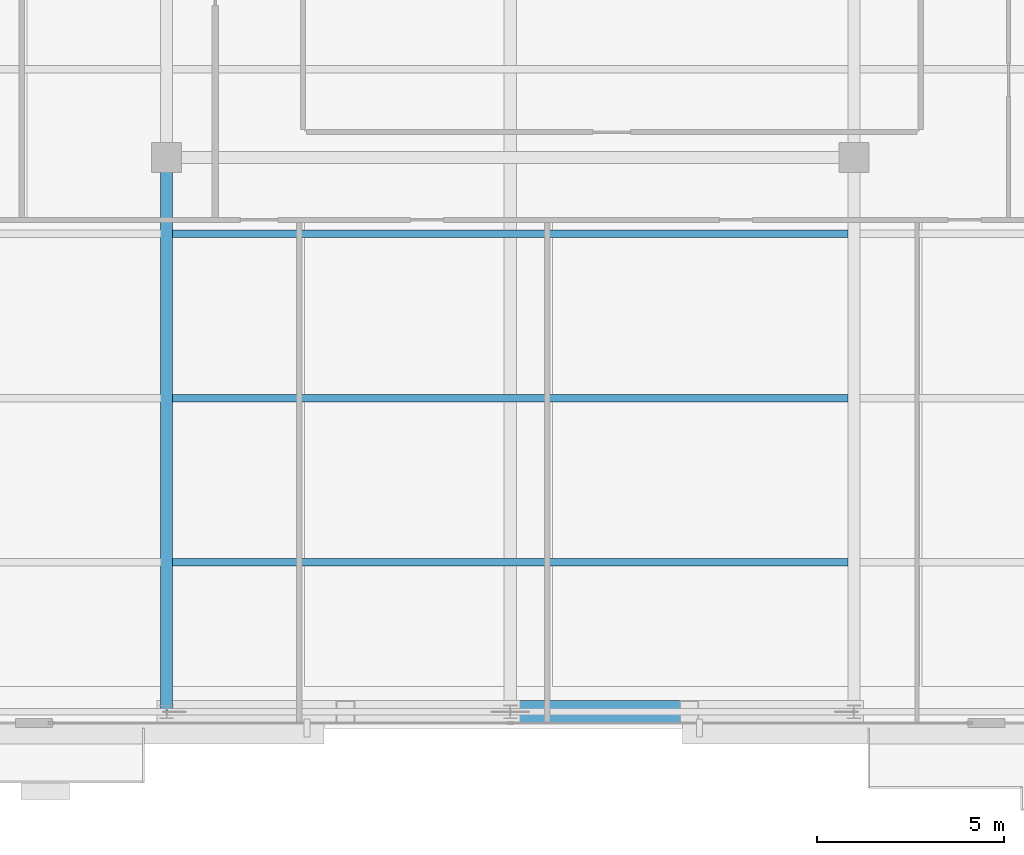
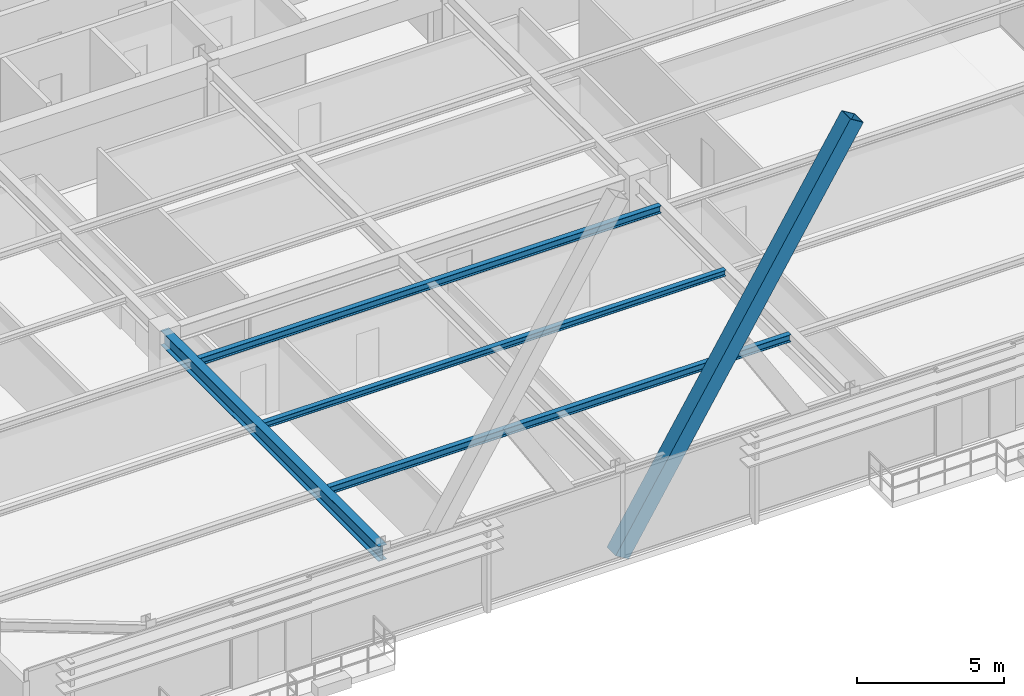
# One storey, part 9 of 34: 4 beams, 1 member.
"""IFC4 building model written with IfcOpenShell, lengths in metres."""

from ifc_helpers import new_model, si_unit, direction, frame, origin, origin_2d, place, context, subcontext, project, spatial, hollow_rectangle, i_section, extrude, source, transform, mapped, material, material_profile, profile_set, type_object, type_shapes, element, save


model = new_model("IFC4")

# Units and contexts
model_context = context("Model", 3, precision=1e-05, world=origin(), true_north=direction((0.0, 1.0)))
body_context = subcontext(model_context, "Body", "Model", "MODEL_VIEW")
ifc_project = project(units=[si_unit("LENGTHUNIT", "METRE"), si_unit("AREAUNIT", "SQUARE_METRE"), si_unit("VOLUMEUNIT", "CUBIC_METRE"), si_unit("PLANEANGLEUNIT", "RADIAN"), si_unit("MASSUNIT", "GRAM", prefix="KILO")], contexts=[model_context])

# Site, building, storey
site_placement = place(None, origin())
site = spatial("IfcSite", under=ifc_project, at=site_placement, CompositionType="ELEMENT")
building_placement = place(site_placement, origin())
building = spatial("IfcBuilding", under=site, at=building_placement, Name="Varnel Quay Broadcast Tower", CompositionType="ELEMENT")
storey_placement = place(building_placement, frame((0.0, 0.0, 176.199951171875)))
storey = spatial("IfcBuildingStorey", under=building, at=storey_placement, Name="L43", CompositionType="ELEMENT", Elevation=176.199951171875)

# Beams
ifc_material_1 = material(Name="Structural Steel CSA G40.21 350W", Category="steel")
ifc_material_profile_1 = material_profile(ifc_material_1, i_section(OverallWidth=0.324951171875, OverallDepth=0.615966796875, WebThickness=0.013916015625, FlangeThickness=0.021484375, FilletRadius=0.01611328125, at=origin_2d()), Name="W610X174")
ifc_profile_set_1 = profile_set([ifc_material_profile_1], Name="Structural Steel CSA G40.21 350W")
beam_type_1 = type_object("IfcBeamType", Name="Girder_W610X174", PredefinedType="BEAM", material=ifc_profile_set_1)
shared_shape_1 = source(origin(), body_context, "Body", "SweptSolid", [
    extrude(i_section(OverallWidth=0.324951171875, OverallDepth=0.615966796875, WebThickness=0.013916015625, FlangeThickness=0.021484375, FilletRadius=0.01611328125, at=origin_2d()), origin(), (0.0, 0.0, 1.0), 14.800048828125),
])
type_shapes(beam_type_1, [shared_shape_1])
beam_1_placement = place(storey_placement, frame((24.800048828125, 7.669921875, 3.241943359375), z_axis=(0.0, 1.0, 0.0), x_axis=(-1.0, 0.0, 0.0)))
element("IfcBeam", 1, at=beam_1_placement, inside=storey, type_object=beam_type_1, Name="L43 Primary Girder TC-S2-IC-01", PredefinedType="BEAM", context=body_context, shape_type="MappedRepresentation", body=[
    mapped(shared_shape_1, transform((0.0, 0.0, 0.0), x_axis=(1.0, 0.0, 0.0), y_axis=(0.0, 1.0, 0.0), z_axis=(0.0, 0.0, 1.0), scale=1.0)),
])
ifc_material_profile_2 = material_profile(ifc_material_1, i_section(OverallWidth=0.202880859375, OverallDepth=0.302978515625, WebThickness=0.007568359375, FlangeThickness=0.01318359375, FilletRadius=0.011962890625, at=origin_2d()), Name="W310X60")
ifc_profile_set_2 = profile_set([ifc_material_profile_2], Name="Structural Steel CSA G40.21 350W")
beam_type_2 = type_object("IfcBeamType", Name="Beam_W310X60", PredefinedType="JOIST", material=ifc_profile_set_2)
shared_shape_2 = source(origin(), body_context, "Body", "SweptSolid", [
    extrude(i_section(OverallWidth=0.202880859375, OverallDepth=0.302978515625, WebThickness=0.007568359375, FlangeThickness=0.01318359375, FilletRadius=0.011962890625, at=origin_2d()), origin(), (0.0, 0.0, 1.0), 18.0849609375),
])
type_shapes(beam_type_2, [shared_shape_2])
for number, where, z_axis, x_axis, name in (
    (2, (24.95751953125, 11.64990234375, 3.3984375), (1.0, 0.0, 0.0), (0.0, 1.0, 0.0), "L43 Central Floor Joist 1"),
    (3, (24.95751953125, 20.449951171875, 3.3984375), (1.0, 0.0, 0.0), (0.0, 1.0, 0.0), "L43 Central Floor Joist 3"),
):
    element("IfcBeam", number, at=place(storey_placement, frame(where, z_axis=z_axis, x_axis=x_axis)), inside=storey, type_object=beam_type_2, Name=name, PredefinedType="JOIST", context=body_context, shape_type="MappedRepresentation", body=[
        mapped(shared_shape_2, transform((0.0, 0.0, 0.0), x_axis=(1.0, 0.0, 0.0), y_axis=(0.0, 1.0, 0.0), z_axis=(0.0, 0.0, 1.0), scale=1.0)),
    ])
ifc_material_profile_3 = material_profile(ifc_material_1, i_section(OverallWidth=0.201904296875, OverallDepth=0.2470703125, WebThickness=0.00732421875, FlangeThickness=0.010986328125, FilletRadius=0.010986328125, at=origin_2d()), Name="W250X49")
ifc_profile_set_3 = profile_set([ifc_material_profile_3], Name="Structural Steel CSA G40.21 350W")
beam_type_3 = type_object("IfcBeamType", Name="Beam_W250X49", PredefinedType="JOIST", material=ifc_profile_set_3)
shared_shape_3 = source(origin(), body_context, "Body", "SweptSolid", [
    extrude(i_section(OverallWidth=0.201904296875, OverallDepth=0.2470703125, WebThickness=0.00732421875, FlangeThickness=0.010986328125, FilletRadius=0.010986328125, at=origin_2d()), origin(), (0.0, 0.0, 1.0), 18.0849609375),
])
type_shapes(beam_type_3, [shared_shape_3])
beam_2_placement = place(storey_placement, frame((24.95751953125, 16.050048828125, 3.426513671875), z_axis=(1.0, 0.0, 0.0), x_axis=(0.0, 1.0, 0.0)))
element("IfcBeam", 4, at=beam_2_placement, inside=storey, type_object=beam_type_3, Name="L43 Central Floor Joist 2", PredefinedType="JOIST", context=body_context, shape_type="MappedRepresentation", body=[
    mapped(shared_shape_3, transform((0.0, 0.0, 0.0), x_axis=(1.0, 0.0, 0.0), y_axis=(0.0, 1.0, 0.0), z_axis=(0.0, 0.0, 1.0), scale=1.0)),
])

# Member
ifc_material_2 = material(Name="Structural Steel CSA G40.21 350WT", Category="steel")
ifc_material_profile_4 = material_profile(ifc_material_2, hollow_rectangle(XDim=0.60009765625, YDim=0.60009765625, WallThickness=0.028076171875, at=origin_2d()), Name="BOX600X600X28")
ifc_profile_set_4 = profile_set([ifc_material_profile_4], Name="Structural Steel CSA G40.21 350WT")
member_type = type_object("IfcMemberType", Name="Brace_BOX600X600X28", PredefinedType="BRACE", material=ifc_profile_set_4)
shared_shape_4 = source(origin(), body_context, "Body", "SweptSolid", [
    extrude(hollow_rectangle(XDim=0.60009765625, YDim=0.60009765625, WallThickness=0.028076171875, at=origin_2d()), origin(), (0.0, 0.0, 1.0), 17.494384765625),
])
type_shapes(member_type, [shared_shape_4])
member_placement = place(storey_placement, frame((34.0, 7.64990234375, 0.02001953125), z_axis=(0.525876986338, 0.0, 0.850560635839), x_axis=(0.0, 1.0, 0.0)))
element("IfcMember", 5, at=member_placement, inside=storey, type_object=member_type, Name="Zone 3 Mega-Brace S-C2T3 Continuous Diag A", PredefinedType="BRACE", context=body_context, shape_type="MappedRepresentation", body=[
    mapped(shared_shape_4, transform((0.0, 0.0, 0.0), x_axis=(1.0, 0.0, 0.0), y_axis=(0.0, 1.0, 0.0), z_axis=(0.0, 0.0, 1.0), scale=1.0)),
])

save(model, "model.ifc")
